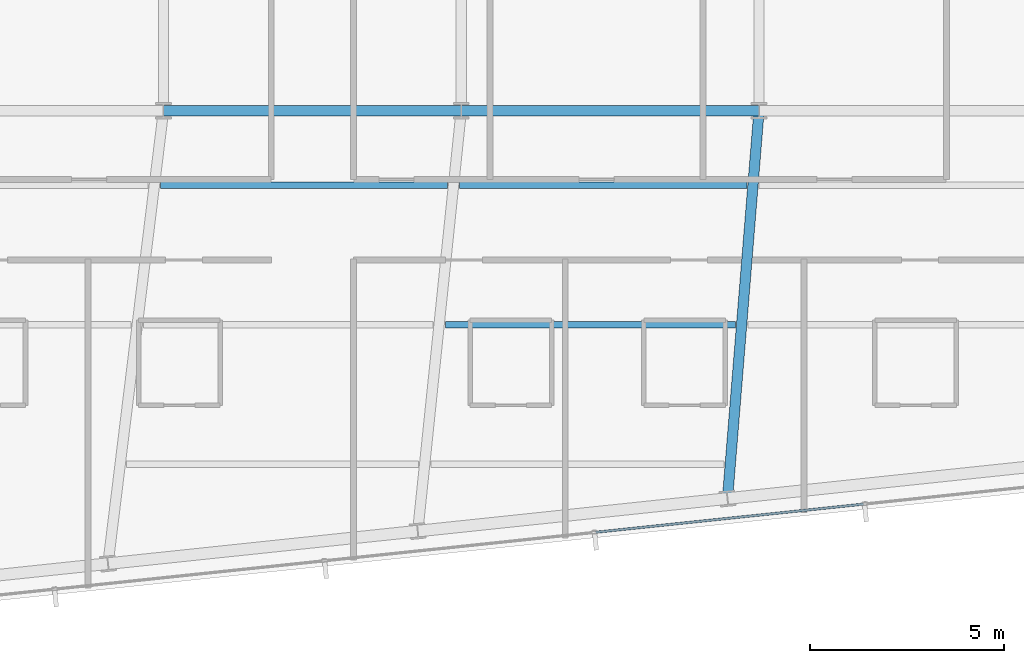
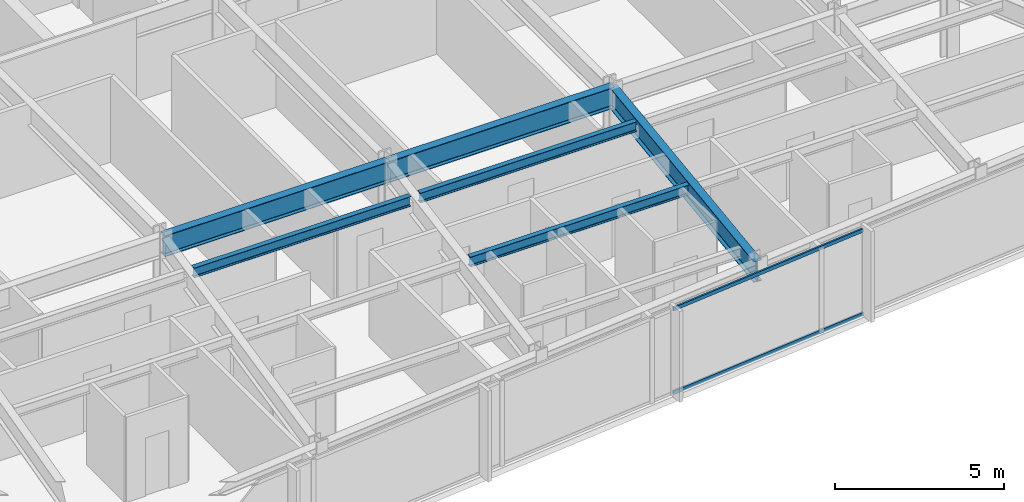
# One storey, part 9 of 33: 6 beams, 2 members, 1 element without a shape of its own.
"""IFC4 building model written with IfcOpenShell, lengths in metres."""

import ifcopenshell
import ifcopenshell.guid

model = None  # the IFC model being written
_history = None  # IfcOwnerHistory: only IFC2X3 demands one
_inside = {}  # id of a spatial element -> (the spatial element, [elements in it])
_under = {}  # id of a project, library or spatial element -> (it, [spatial elements below it])
_declared = {}  # id of a project -> (the project, [libraries it declares])
_typed = {}  # id of a type object -> (the type object, [elements of that type])
_made_of = {}  # id of a material, layer set ... -> (it, [elements and type objects made of it])


def new_model(schema):
    """Start an empty IFC model of exactly this schema.

    Asked for "IFC4X3", IfcOpenShell would pick the latest addendum, in which some entities
    have other attributes; the version numbers below select the first issue.
    IFC2X3 requires an IfcOwnerHistory on every rooted entity: one is made here for all.
    """
    global model, _history
    if schema == "IFC4X3":
        model = ifcopenshell.file(schema_version=(4, 3, 0, 0))
    else:
        model = ifcopenshell.file(schema=schema)
    _inside.clear()
    _under.clear()
    _declared.clear()
    _typed.clear()
    _made_of.clear()
    _history = None
    if model.schema == "IFC2X3":
        org = make("IfcOrganization", Name="unknown")
        user = make(
            "IfcPersonAndOrganization",
            ThePerson=make("IfcPerson", FamilyName="unknown"),
            TheOrganization=org,
        )
        app = make(
            "IfcApplication",
            ApplicationDeveloper=org,
            Version="unknown",
            ApplicationFullName="unknown",
            ApplicationIdentifier="unknown",
        )
        _history = make(
            "IfcOwnerHistory",
            OwningUser=user,
            OwningApplication=app,
            ChangeAction="ADDED",
            CreationDate=0,
        )
    return model


def make(cls, **values):
    """One entity of the class cls with the attributes given. An attribute that is None is left unset."""
    return model.create_entity(
        cls, **{name: value for name, value in values.items() if value is not None}
    )


def rooted(cls, **values):
    """An entity with a GlobalId (a new one), such as an element, a storey or a relation."""
    return make(cls, GlobalId=ifcopenshell.guid.new(), OwnerHistory=_history, **values)


def si_unit(unit_type, name, prefix=None):
    """IfcSIUnit, for example si_unit("LENGTHUNIT", "METRE", prefix="MILLI")."""
    return make("IfcSIUnit", UnitType=unit_type, Prefix=prefix, Name=name)


def assignment(units):
    """IfcUnitAssignment: the units of a project."""
    return None if units is None else make("IfcUnitAssignment", Units=units)


def point(xyz):
    """IfcCartesianPoint."""
    return None if xyz is None else make("IfcCartesianPoint", Coordinates=xyz)


def direction(xyz):
    """IfcDirection."""
    return None if xyz is None else make("IfcDirection", DirectionRatios=xyz)


def frame(location, z_axis=None, x_axis=None):
    """IfcAxis2Placement3D, a coordinate frame: its origin and axes. An axis left out is left unset."""
    return make(
        "IfcAxis2Placement3D",
        Location=point(location),
        Axis=direction(z_axis),
        RefDirection=direction(x_axis),
    )


def frame_2d(location, x_axis=None):
    """IfcAxis2Placement2D, a coordinate frame in the plane: its origin and x axis."""
    return make(
        "IfcAxis2Placement2D", Location=point(location), RefDirection=direction(x_axis)
    )


def origin():
    """The frame at (0, 0, 0) with its axes left unset."""
    return frame((0.0, 0.0, 0.0))


def origin_2d():
    """The frame at (0, 0) in the plane with its x axis left unset."""
    return frame_2d((0.0, 0.0))


def place(relative_to, where):
    """IfcLocalPlacement: puts the frame where relative to a parent placement (None: the world)."""
    return make(
        "IfcLocalPlacement", PlacementRelTo=relative_to, RelativePlacement=where
    )


def context(
    kind, dimensions, precision=None, world=None, true_north=None, identifier=None
):
    """IfcGeometricRepresentationContext, for example the 3D "Model" context."""
    return make(
        "IfcGeometricRepresentationContext",
        ContextIdentifier=identifier,
        ContextType=kind,
        CoordinateSpaceDimension=dimensions,
        Precision=precision,
        WorldCoordinateSystem=world,
        TrueNorth=true_north,
    )


def subcontext(parent, identifier, kind, view, scale=None):
    """IfcGeometricRepresentationSubContext, for example "Body" below "Model"."""
    return make(
        "IfcGeometricRepresentationSubContext",
        ContextIdentifier=identifier,
        ContextType=kind,
        ParentContext=parent,
        TargetScale=scale,
        TargetView=view,
    )


def project(units=None, contexts=None):
    """IfcProject with its units and contexts."""
    return rooted(
        "IfcProject",
        Name="project",
        RepresentationContexts=contexts,
        UnitsInContext=assignment(units),
    )


def spatial(cls, under=None, at=None, **own):
    """A site, building, storey or space (cls), placed at a placement, below another one or the project."""
    s = rooted(cls, ObjectPlacement=at, **own)
    if under is not None:
        _under.setdefault(under.id(), (under, []))[1].append(s)
    return s


def profile(cls, at=None, kind="AREA", **sizes):
    """A parametric profile (cls). Its sizes go by their IFC names, for example OverallWidth=200.0."""
    return make(cls, ProfileType=kind, Position=at, **sizes)


def hollow_rectangle(**sizes):
    """IfcRectangleHollowProfileDef."""
    return profile("IfcRectangleHollowProfileDef", **sizes)


def i_section(**sizes):
    """IfcIShapeProfileDef."""
    return profile("IfcIShapeProfileDef", **sizes)


def extrude(swept, where, along, depth):
    """IfcExtrudedAreaSolid: the profile swept, set in the frame where, extruded along a direction by depth."""
    return make(
        "IfcExtrudedAreaSolid",
        SweptArea=swept,
        Position=where,
        ExtrudedDirection=direction(along),
        Depth=depth,
    )


def shape(context_of_items, identifier, shape_type, items):
    """IfcShapeRepresentation: the items that make up one representation, for example the "Body"."""
    return make(
        "IfcShapeRepresentation",
        ContextOfItems=context_of_items,
        RepresentationIdentifier=identifier,
        RepresentationType=shape_type,
        Items=items,
    )


def material(Name=None, Category=None):
    """IfcMaterial."""
    return make("IfcMaterial", Name=Name, Category=Category)


def material_profile(
    of_material, cross_section, Name=None, Category=None, Priority=None
):
    """IfcMaterialProfile: a cross section and its material."""
    return make(
        "IfcMaterialProfile",
        Name=Name,
        Material=of_material,
        Profile=cross_section,
        Priority=Priority,
        Category=Category,
    )


def profile_set(profiles, Name=None, composite=None):
    """IfcMaterialProfileSet."""
    return make(
        "IfcMaterialProfileSet",
        Name=Name,
        MaterialProfiles=profiles,
        CompositeProfile=composite,
    )


def made_of(thing, what):
    """Note that an element or type object is made of a material, layer set ...; save() writes the relation."""
    if what is not None:
        _made_of.setdefault(what.id(), (what, []))[1].append(thing)
    return thing


def type_object(cls, material=None, **own):
    """A type object (cls), such as IfcWallType, which elements share."""
    return made_of(rooted(cls, **own), material)


def element(
    cls,
    number,
    at=None,
    inside=None,
    cuts=None,
    type_object=None,
    material=None,
    context=None,
    identifier="Body",
    shape_type=None,
    held_by="IfcProductDefinitionShape",
    body=None,
    shapes=None,
    **own,
):
    """One element of the class cls, such as IfcWall. Its Tag is "e" and its number.

    at: its placement. inside: the storey or other place that contains it. cuts: it is an
    opening in that element (IfcRelVoidsElement). A single representation is given by context,
    identifier, shape_type and body (its items); several are given by shapes. held_by: the class
    of the entity that holds the representations. save() writes the other relations.
    """
    e = rooted(cls, Tag="e%d" % number, ObjectPlacement=at, **own)
    if body is not None:
        shapes = [shape(context, identifier, shape_type, body)]
    if shapes is not None:
        e.Representation = make(held_by, Representations=shapes)
    if inside is not None:
        _inside.setdefault(inside.id(), (inside, []))[1].append(e)
    if cuts is not None:
        rooted(
            "IfcRelVoidsElement", RelatingBuildingElement=cuts, RelatedOpeningElement=e
        )
    if type_object is not None:
        _typed.setdefault(type_object.id(), (type_object, []))[1].append(e)
    return made_of(e, material)


def aggregate(whole, parts):
    """IfcRelAggregates: a whole, such as a stair, and the parts it consists of."""
    return rooted("IfcRelAggregates", RelatingObject=whole, RelatedObjects=parts)


def save(model, path):
    """Write the relations noted so far, then the file.

    IfcRelAggregates (storeys below a building ...), IfcRelContainedInSpatialStructure (elements
    in a storey), IfcRelDefinesByType, IfcRelAssociatesMaterial and IfcRelDeclares: one each for
    every whole, place, type object, material and project.
    """
    for whole, parts in _under.values():
        aggregate(whole, parts)
    for where, things in _inside.values():
        rooted(
            "IfcRelContainedInSpatialStructure",
            RelatedElements=things,
            RelatingStructure=where,
        )
    for kind, things in _typed.values():
        rooted("IfcRelDefinesByType", RelatedObjects=things, RelatingType=kind)
    for what, things in _made_of.values():
        rooted("IfcRelAssociatesMaterial", RelatedObjects=things, RelatingMaterial=what)
    for by, libraries in _declared.values():
        rooted("IfcRelDeclares", RelatingContext=by, RelatedDefinitions=libraries)
    model.write(path)


model = new_model("IFC4")

# Units and contexts
model_context = context("Model", 3, precision=1e-05, world=origin(), true_north=direction((0.0, 1.0)))
body_context = subcontext(model_context, "Body", "Model", "MODEL_VIEW")
ifc_project = project(units=[si_unit("LENGTHUNIT", "METRE"), si_unit("AREAUNIT", "SQUARE_METRE"), si_unit("VOLUMEUNIT", "CUBIC_METRE"), si_unit("PLANEANGLEUNIT", "RADIAN"), si_unit("MASSUNIT", "GRAM", prefix="KILO")], contexts=[model_context])

# Site, building, storey
site_placement = place(None, origin())
site = spatial("IfcSite", under=ifc_project, at=site_placement, CompositionType="ELEMENT")
building_placement = place(site_placement, origin())
building = spatial("IfcBuilding", under=site, at=building_placement, Name="Yelkora Congress Tower", CompositionType="ELEMENT")
storey_placement = place(building_placement, frame((0.0, 0.0, 230.89990234375)))
storey = spatial("IfcBuildingStorey", under=building, at=storey_placement, Name="L64", CompositionType="ELEMENT", Elevation=230.89990234375)

# Beams
ifc_material_1 = material(Name="Steel S355J2", Category="steel")
ifc_material_profile_1 = material_profile(ifc_material_1, i_section(OverallWidth=0.26708984375, OverallDepth=0.761962890625, WebThickness=0.014404296875, FlangeThickness=0.021484375, FilletRadius=0.01708984375, at=origin_2d()), Name="IPE 750x173")
ifc_profile_set_1 = profile_set([ifc_material_profile_1], Name="Steel S355J2")
beam_type_1 = type_object("IfcBeamType", Name="BM-GIRD-IPE750", PredefinedType="BEAM", material=ifc_profile_set_1)
beam_1_placement = place(storey_placement, frame((30.719970703125, 25.199951171875, 2.69921875), z_axis=(1.0, 0.0, 0.0), x_axis=(0.0, 1.0, 0.0)))
element("IfcBeam", 1, at=beam_1_placement, inside=storey, type_object=beam_type_1, Name="L64 Spine Grid D Girder 3", PredefinedType="BEAM", context=body_context, shape_type="SweptSolid", body=[
    extrude(i_section(OverallWidth=0.26708984375, OverallDepth=0.761962890625, WebThickness=0.014404296875, FlangeThickness=0.021484375, FilletRadius=0.01708984375, at=origin_2d()), origin(), (0.0, 0.0, 1.0), 7.679931640625),
])
beam_2_placement = place(storey_placement, frame((38.39990234375, 25.199951171875, 2.69921875), z_axis=(1.0, 0.0, 0.0), x_axis=(0.0, 1.0, 0.0)))
element("IfcBeam", 2, at=beam_2_placement, inside=storey, type_object=beam_type_1, Name="L64 Spine Grid D Girder 4", PredefinedType="BEAM", context=body_context, shape_type="SweptSolid", body=[
    extrude(i_section(OverallWidth=0.26708984375, OverallDepth=0.761962890625, WebThickness=0.014404296875, FlangeThickness=0.021484375, FilletRadius=0.01708984375, at=origin_2d()), origin(), (0.0, 0.0, 1.0), 7.68017578125),
])
beam_3_placement = place(storey_placement, frame((45.26708984375, 15.197509765625, 2.69921875), z_axis=(0.081011831965, 0.996713139816, 0.0), x_axis=(-0.996713139816, 0.081011831965, 0.0)))
element("IfcBeam", 3, at=beam_3_placement, inside=storey, type_object=beam_type_1, Name="L64 Primary Frame Girder S04", PredefinedType="BEAM", context=body_context, shape_type="SweptSolid", body=[
    extrude(i_section(OverallWidth=0.26708984375, OverallDepth=0.761962890625, WebThickness=0.014404296875, FlangeThickness=0.021484375, FilletRadius=0.01708984375, at=origin_2d()), origin(), (0.0, 0.0, 1.0), 10.035400390625),
])
ifc_material_profile_2 = material_profile(ifc_material_1, i_section(OverallWidth=0.169921875, OverallDepth=0.360107421875, WebThickness=0.008056640625, FlangeThickness=0.0126953125, FilletRadius=0.01806640625, at=origin_2d()), Name="IPE 360")
ifc_profile_set_2 = profile_set([ifc_material_profile_2], Name="Steel S355J2")
beam_type_2 = type_object("IfcBeamType", Name="BM-JOIST-IPE360", PredefinedType="JOIST", material=ifc_profile_set_2)
beam_4_placement = place(storey_placement, frame((37.988525390625, 19.678466796875, 2.900146484375), z_axis=(1.0, 0.0, 0.0), x_axis=(0.0, 1.0, 0.0)))
element("IfcBeam", 4, at=beam_4_placement, inside=storey, type_object=beam_type_2, Name="L64 Composite Floor Joist 5", PredefinedType="JOIST", context=body_context, shape_type="SweptSolid", body=[
    extrude(i_section(OverallWidth=0.169921875, OverallDepth=0.360107421875, WebThickness=0.008056640625, FlangeThickness=0.0126953125, FilletRadius=0.01806640625, at=origin_2d()), origin(), (0.0, 0.0, 1.0), 7.482666015625),
])
beam_5_placement = place(storey_placement, frame((30.64453125, 23.278564453125, 2.900146484375), z_axis=(1.0, 0.0, 0.0), x_axis=(0.0, 1.0, 0.0)))
element("IfcBeam", 5, at=beam_5_placement, inside=storey, type_object=beam_type_2, Name="L64 Composite Floor Joist 10", PredefinedType="JOIST", context=body_context, shape_type="SweptSolid", body=[
    extrude(i_section(OverallWidth=0.169921875, OverallDepth=0.360107421875, WebThickness=0.008056640625, FlangeThickness=0.0126953125, FilletRadius=0.01806640625, at=origin_2d()), origin(), (0.0, 0.0, 1.0), 7.396484375),
])
beam_6_placement = place(storey_placement, frame((38.361083984375, 23.278564453125, 2.900146484375), z_axis=(1.0, 0.0, 0.0), x_axis=(0.0, 1.0, 0.0)))
element("IfcBeam", 6, at=beam_6_placement, inside=storey, type_object=beam_type_2, Name="L64 Composite Floor Joist 11", PredefinedType="JOIST", context=body_context, shape_type="SweptSolid", body=[
    extrude(i_section(OverallWidth=0.169921875, OverallDepth=0.360107421875, WebThickness=0.008056640625, FlangeThickness=0.0126953125, FilletRadius=0.01806640625, at=origin_2d()), origin(), (0.0, 0.0, 1.0), 7.40283203125),
])

# Curtain wall, members
ifc_material_2 = material(Name="Anodised aluminium and insulated glass", Category="aluminium")
curtain_wall_type = type_object("IfcCurtainWallType", Name="CW-SYS-B4", PredefinedType="NOTDEFINED", material=ifc_material_2)
curtain_wall_placement = place(storey_placement, origin())
curtain_wall = element("IfcCurtainWall", 7, at=curtain_wall_placement, inside=storey, type_object=curtain_wall_type, Name="L64 Unitised Curtain Wall 20", PredefinedType="NOTDEFINED")
ifc_material_3 = material(Name="Anodised aluminium 6063-T6", Category="aluminium")
ifc_material_profile_3 = material_profile(ifc_material_3, hollow_rectangle(XDim=0.06005859375, YDim=0.1298828125, WallThickness=0.00390625, at=origin_2d()), Name="ALU 60x130x4")
ifc_profile_set_3 = profile_set([ifc_material_profile_3], Name="Anodised aluminium 6063-T6")
member_type = type_object("IfcMemberType", Name="MEM-TR-B4", PredefinedType="USERDEFINED", material=ifc_profile_set_3)
member_1_placement = place(storey_placement, frame((48.770263671875, 15.052978515625, 0.030029296875), z_axis=(-0.99452356298, -0.104512595784, 0.0), x_axis=(0.104512595784, -0.99452356298, 0.0)))
member_1 = element("IfcMember", 8, at=member_1_placement, type_object=member_type, Name="CW-B4 transom 4.1", ObjectType="TRANSOM", PredefinedType="USERDEFINED", context=body_context, shape_type="SweptSolid", body=[
    extrude(hollow_rectangle(XDim=0.06005859375, YDim=0.1298828125, WallThickness=0.00390625, at=origin_2d()), origin(), (0.0, 0.0, 1.0), 6.93798828125),
])
member_2_placement = place(storey_placement, frame((48.770263671875, 15.052978515625, 3.050048828125), z_axis=(-0.99452356298, -0.104512595784, 0.0), x_axis=(0.104512595784, -0.99452356298, 0.0)))
member_2 = element("IfcMember", 9, at=member_2_placement, type_object=member_type, Name="CW-B4 transom 4.2", ObjectType="TRANSOM", PredefinedType="USERDEFINED", context=body_context, shape_type="SweptSolid", body=[
    extrude(hollow_rectangle(XDim=0.06005859375, YDim=0.1298828125, WallThickness=0.00390625, at=origin_2d()), origin(), (0.0, 0.0, 1.0), 6.93798828125),
])
aggregate(curtain_wall, [member_1, member_2])

save(model, "model.ifc")
